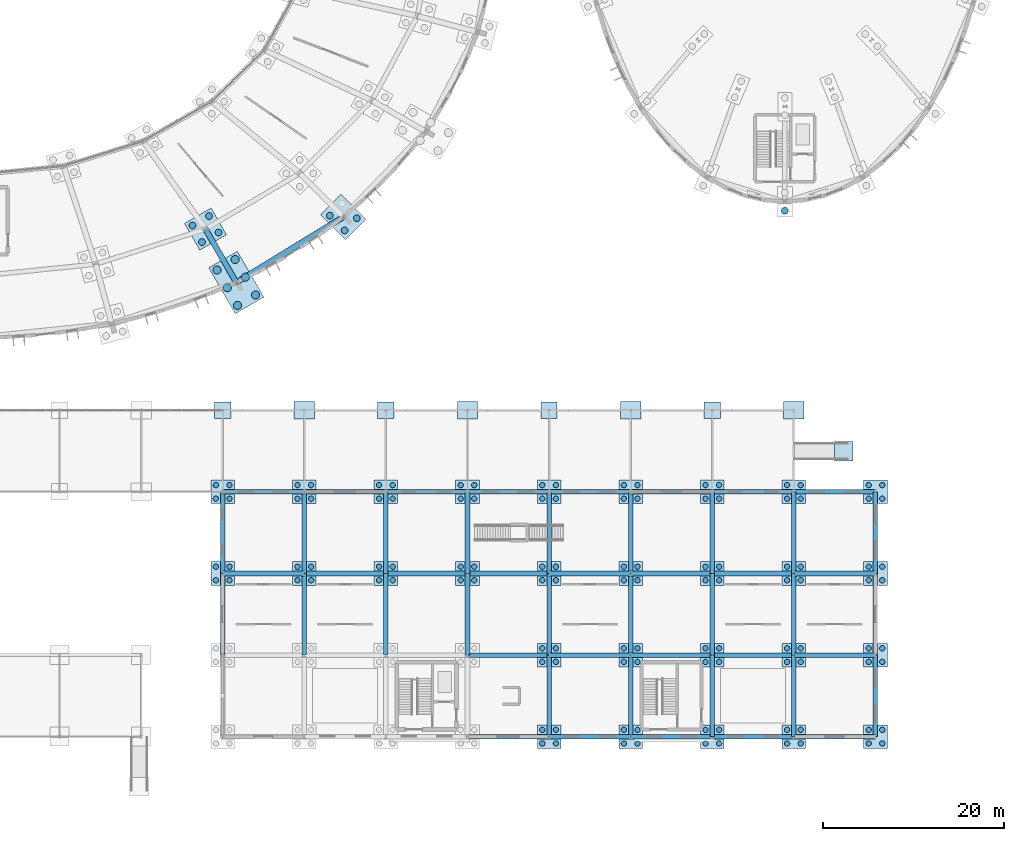
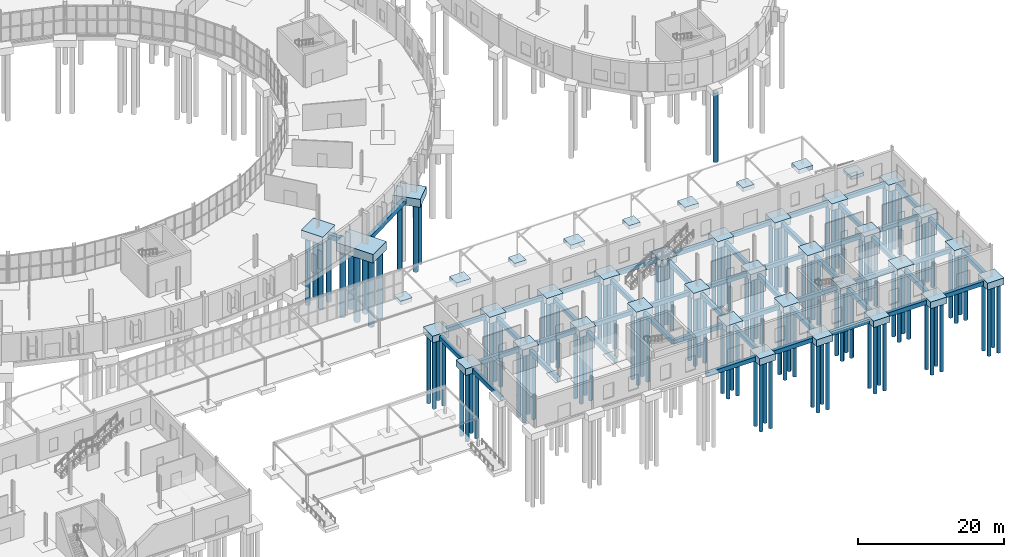
# One storey, part 6 of 118: 126 piles, 91 footings.
"""IFC4 building model written with IfcOpenShell, lengths in metres."""

from ifc_helpers import new_model, si_unit, direction, frame, origin, origin_2d, place, context, subcontext, project, spatial, rectangle, circle, extrude, material, material_profile, profile_set, type_object, element, save


model = new_model("IFC4")

# Units and contexts
model_context = context("Model", 3, precision=1e-05, world=origin(), true_north=direction((0.0, 1.0)))
body_context = subcontext(model_context, "Body", "Model", "MODEL_VIEW")
ifc_project = project(units=[si_unit("LENGTHUNIT", "METRE"), si_unit("AREAUNIT", "SQUARE_METRE"), si_unit("VOLUMEUNIT", "CUBIC_METRE"), si_unit("PLANEANGLEUNIT", "RADIAN"), si_unit("MASSUNIT", "GRAM", prefix="KILO")], contexts=[model_context])

# Site, building, storey
site_placement = place(None, origin())
site = spatial("IfcSite", under=ifc_project, at=site_placement, CompositionType="ELEMENT")
building_placement = place(site_placement, origin())
building = spatial("IfcBuilding", under=site, at=building_placement, Name="Kildeholm Park Wholesale Market", CompositionType="ELEMENT")
storey_placement = place(building_placement, origin())
storey = spatial("IfcBuildingStorey", under=building, at=storey_placement, Name="L00", CompositionType="ELEMENT", Elevation=0.0)

# Piles
ifc_material = material(Name="Concrete C35/45", Category="concrete")
ifc_material_profile_1 = material_profile(ifc_material, circle(Radius=0.300048828125, at=origin_2d()), Name="PILE D600")
ifc_profile_set_1 = profile_set([ifc_material_profile_1], Name="Concrete C35/45")
pile_type_1 = type_object("IfcPileType", Name="Bored pile 600 mm", PredefinedType="BORED", material=ifc_profile_set_1)
for number, where, z_axis, x_axis, name in (
    (1, (125.25, 17.25, -1.0), (0.0, 0.0, -1.0), (1.0, 0.0, 0.0), "Bored pile V5E-126-018.1 PIL-1013"),
    (2, (126.75, 17.25, -1.0), (0.0, 0.0, -1.0), (1.0, 0.0, 0.0), "Bored pile V5E-126-018.2 PIL-1014"),
    (3, (125.25, 18.75, -1.0), (0.0, 0.0, -1.0), (1.0, 0.0, 0.0), "Bored pile V5E-126-018.3 PIL-1015"),
    (4, (126.75, 18.75, -1.0), (0.0, 0.0, -1.0), (1.0, 0.0, 0.0), "Bored pile V5E-126-018.4 PIL-1016"),
    (5, (125.25, 26.25, -1.0), (0.0, 0.0, -1.0), (1.0, 0.0, 0.0), "Bored pile V5E-126-027.1 PIL-1017"),
    (6, (126.75, 26.25, -1.0), (0.0, 0.0, -1.0), (1.0, 0.0, 0.0), "Bored pile V5E-126-027.2 PIL-1018"),
    (7, (125.25, 27.75, -1.0), (0.0, 0.0, -1.0), (1.0, 0.0, 0.0), "Bored pile V5E-126-027.3 PIL-1019"),
    (8, (126.75, 27.75, -1.0), (0.0, 0.0, -1.0), (1.0, 0.0, 0.0), "Bored pile V5E-126-027.4 PIL-1020"),
    (9, (134.25, 17.25, -1.0), (0.0, 0.0, -1.0), (1.0, 0.0, 0.0), "Bored pile V5E-135-018.1 PIL-1029"),
    (10, (135.75, 17.25, -1.0), (0.0, 0.0, -1.0), (1.0, 0.0, 0.0), "Bored pile V5E-135-018.2 PIL-1030"),
    (11, (134.25, 18.75, -1.0), (0.0, 0.0, -1.0), (1.0, 0.0, 0.0), "Bored pile V5E-135-018.3 PIL-1031"),
    (12, (135.75, 18.75, -1.0), (0.0, 0.0, -1.0), (1.0, 0.0, 0.0), "Bored pile V5E-135-018.4 PIL-1032"),
    (13, (134.25, 26.25, -1.0), (0.0, 0.0, -1.0), (1.0, 0.0, 0.0), "Bored pile V5E-135-027.1 PIL-1033"),
    (14, (135.75, 26.25, -1.0), (0.0, 0.0, -1.0), (1.0, 0.0, 0.0), "Bored pile V5E-135-027.2 PIL-1034"),
    (15, (134.25, 27.75, -1.0), (0.0, 0.0, -1.0), (1.0, 0.0, 0.0), "Bored pile V5E-135-027.3 PIL-1035"),
    (16, (135.75, 27.75, -1.0), (0.0, 0.0, -1.0), (1.0, 0.0, 0.0), "Bored pile V5E-135-027.4 PIL-1036"),
    (17, (143.25, 17.25, -1.0), (0.0, 0.0, -1.0), (1.0, 0.0, 0.0), "Bored pile V5E-144-018.1 PIL-1045"),
    (18, (144.75, 17.25, -1.0), (0.0, 0.0, -1.0), (1.0, 0.0, 0.0), "Bored pile V5E-144-018.2 PIL-1046"),
    (19, (143.25, 18.75, -1.0), (0.0, 0.0, -1.0), (1.0, 0.0, 0.0), "Bored pile V5E-144-018.3 PIL-1047"),
    (20, (144.75, 18.75, -1.0), (0.0, 0.0, -1.0), (1.0, 0.0, 0.0), "Bored pile V5E-144-018.4 PIL-1048"),
    (21, (143.25, 26.25, -1.0), (0.0, 0.0, -1.0), (1.0, 0.0, 0.0), "Bored pile V5E-144-027.1 PIL-1049"),
    (22, (144.75, 26.25, -1.0), (0.0, 0.0, -1.0), (1.0, 0.0, 0.0), "Bored pile V5E-144-027.2 PIL-1050"),
    (23, (143.25, 27.75, -1.0), (0.0, 0.0, -1.0), (1.0, 0.0, 0.0), "Bored pile V5E-144-027.3 PIL-1051"),
    (24, (144.75, 27.75, -1.0), (0.0, 0.0, -1.0), (1.0, 0.0, 0.0), "Bored pile V5E-144-027.4 PIL-1052"),
    (25, (152.25, 17.25, -1.0), (0.0, 0.0, -1.0), (1.0, 0.0, 0.0), "Bored pile V5E-153-018.1 PIL-1061"),
    (26, (153.75, 17.25, -1.0), (0.0, 0.0, -1.0), (1.0, 0.0, 0.0), "Bored pile V5E-153-018.2 PIL-1062"),
    (27, (152.25, 18.75, -1.0), (0.0, 0.0, -1.0), (1.0, 0.0, 0.0), "Bored pile V5E-153-018.3 PIL-1063"),
    (28, (153.75, 18.75, -1.0), (0.0, 0.0, -1.0), (1.0, 0.0, 0.0), "Bored pile V5E-153-018.4 PIL-1064"),
    (29, (152.25, 26.25, -1.0), (0.0, 0.0, -1.0), (1.0, 0.0, 0.0), "Bored pile V5E-153-027.1 PIL-1065"),
    (30, (153.75, 26.25, -1.0), (0.0, 0.0, -1.0), (1.0, 0.0, 0.0), "Bored pile V5E-153-027.2 PIL-1066"),
    (31, (152.25, 27.75, -1.0), (0.0, 0.0, -1.0), (1.0, 0.0, 0.0), "Bored pile V5E-153-027.3 PIL-1067"),
    (32, (153.75, 27.75, -1.0), (0.0, 0.0, -1.0), (1.0, 0.0, 0.0), "Bored pile V5E-153-027.4 PIL-1068"),
    (33, (161.25, -0.75, -1.0), (0.0, 0.0, -1.0), (1.0, 0.0, 0.0), "Bored pile V5E-162-000.1 PIL-1069"),
    (34, (162.75, -0.75, -1.0), (0.0, 0.0, -1.0), (1.0, 0.0, 0.0), "Bored pile V5E-162-000.2 PIL-1070"),
    (35, (161.25, 0.75, -1.0), (0.0, 0.0, -1.0), (1.0, 0.0, 0.0), "Bored pile V5E-162-000.3 PIL-1071"),
    (36, (162.75, 0.75, -1.0), (0.0, 0.0, -1.0), (1.0, 0.0, 0.0), "Bored pile V5E-162-000.4 PIL-1072"),
    (37, (161.25, 8.25, -1.0), (0.0, 0.0, -1.0), (1.0, 0.0, 0.0), "Bored pile V5E-162-009.1 PIL-1073"),
    (38, (162.75, 8.25, -1.0), (0.0, 0.0, -1.0), (1.0, 0.0, 0.0), "Bored pile V5E-162-009.2 PIL-1074"),
    (39, (161.25, 9.75, -1.0), (0.0, 0.0, -1.0), (1.0, 0.0, 0.0), "Bored pile V5E-162-009.3 PIL-1075"),
    (40, (162.75, 9.75, -1.0), (0.0, 0.0, -1.0), (1.0, 0.0, 0.0), "Bored pile V5E-162-009.4 PIL-1076"),
    (41, (161.25, 17.25, -1.0), (0.0, 0.0, -1.0), (1.0, 0.0, 0.0), "Bored pile V5E-162-018.1 PIL-1077"),
    (42, (162.75, 17.25, -1.0), (0.0, 0.0, -1.0), (1.0, 0.0, 0.0), "Bored pile V5E-162-018.2 PIL-1078"),
    (43, (161.25, 18.75, -1.0), (0.0, 0.0, -1.0), (1.0, 0.0, 0.0), "Bored pile V5E-162-018.3 PIL-1079"),
    (44, (162.75, 18.75, -1.0), (0.0, 0.0, -1.0), (1.0, 0.0, 0.0), "Bored pile V5E-162-018.4 PIL-1080"),
    (45, (161.25, 26.25, -1.0), (0.0, 0.0, -1.0), (1.0, 0.0, 0.0), "Bored pile V5E-162-027.1 PIL-1081"),
    (46, (162.75, 26.25, -1.0), (0.0, 0.0, -1.0), (1.0, 0.0, 0.0), "Bored pile V5E-162-027.2 PIL-1082"),
    (47, (161.25, 27.75, -1.0), (0.0, 0.0, -1.0), (1.0, 0.0, 0.0), "Bored pile V5E-162-027.3 PIL-1083"),
    (48, (162.75, 27.75, -1.0), (0.0, 0.0, -1.0), (1.0, 0.0, 0.0), "Bored pile V5E-162-027.4 PIL-1084"),
    (49, (170.25, -0.75, -1.0), (0.0, 0.0, -1.0), (1.0, 0.0, 0.0), "Bored pile V5E-171-000.1 PIL-1085"),
    (50, (171.75, -0.75, -1.0), (0.0, 0.0, -1.0), (1.0, 0.0, 0.0), "Bored pile V5E-171-000.2 PIL-1086"),
    (51, (170.25, 0.75, -1.0), (0.0, 0.0, -1.0), (1.0, 0.0, 0.0), "Bored pile V5E-171-000.3 PIL-1087"),
    (52, (171.75, 0.75, -1.0), (0.0, 0.0, -1.0), (1.0, 0.0, 0.0), "Bored pile V5E-171-000.4 PIL-1088"),
    (53, (170.25, 8.25, -1.0), (0.0, 0.0, -1.0), (1.0, 0.0, 0.0), "Bored pile V5E-171-009.1 PIL-1089"),
    (54, (171.75, 8.25, -1.0), (0.0, 0.0, -1.0), (1.0, 0.0, 0.0), "Bored pile V5E-171-009.2 PIL-1090"),
    (55, (170.25, 9.75, -1.0), (0.0, 0.0, -1.0), (1.0, 0.0, 0.0), "Bored pile V5E-171-009.3 PIL-1091"),
    (56, (171.75, 9.75, -1.0), (0.0, 0.0, -1.0), (1.0, 0.0, 0.0), "Bored pile V5E-171-009.4 PIL-1092"),
    (57, (170.25, 17.25, -1.0), (0.0, 0.0, -1.0), (1.0, 0.0, 0.0), "Bored pile V5E-171-018.1 PIL-1093"),
    (58, (171.75, 17.25, -1.0), (0.0, 0.0, -1.0), (1.0, 0.0, 0.0), "Bored pile V5E-171-018.2 PIL-1094"),
    (59, (170.25, 18.75, -1.0), (0.0, 0.0, -1.0), (1.0, 0.0, 0.0), "Bored pile V5E-171-018.3 PIL-1095"),
    (60, (171.75, 18.75, -1.0), (0.0, 0.0, -1.0), (1.0, 0.0, 0.0), "Bored pile V5E-171-018.4 PIL-1096"),
    (61, (170.25, 26.25, -1.0), (0.0, 0.0, -1.0), (1.0, 0.0, 0.0), "Bored pile V5E-171-027.1 PIL-1097"),
    (62, (171.75, 26.25, -1.0), (0.0, 0.0, -1.0), (1.0, 0.0, 0.0), "Bored pile V5E-171-027.2 PIL-1098"),
    (63, (170.25, 27.75, -1.0), (0.0, 0.0, -1.0), (1.0, 0.0, 0.0), "Bored pile V5E-171-027.3 PIL-1099"),
    (64, (171.75, 27.75, -1.0), (0.0, 0.0, -1.0), (1.0, 0.0, 0.0), "Bored pile V5E-171-027.4 PIL-1100"),
    (65, (179.25, -0.75, -1.0), (0.0, 0.0, -1.0), (1.0, 0.0, 0.0), "Bored pile V5E-180-000.1 PIL-1101"),
    (66, (180.75, -0.75, -1.0), (0.0, 0.0, -1.0), (1.0, 0.0, 0.0), "Bored pile V5E-180-000.2 PIL-1102"),
    (67, (179.25, 0.75, -1.0), (0.0, 0.0, -1.0), (1.0, 0.0, 0.0), "Bored pile V5E-180-000.3 PIL-1103"),
    (68, (180.75, 0.75, -1.0), (0.0, 0.0, -1.0), (1.0, 0.0, 0.0), "Bored pile V5E-180-000.4 PIL-1104"),
    (69, (179.25, 8.25, -1.0), (0.0, 0.0, -1.0), (1.0, 0.0, 0.0), "Bored pile V5E-180-009.1 PIL-1105"),
    (70, (180.75, 8.25, -1.0), (0.0, 0.0, -1.0), (1.0, 0.0, 0.0), "Bored pile V5E-180-009.2 PIL-1106"),
    (71, (179.25, 9.75, -1.0), (0.0, 0.0, -1.0), (1.0, 0.0, 0.0), "Bored pile V5E-180-009.3 PIL-1107"),
    (72, (180.75, 9.75, -1.0), (0.0, 0.0, -1.0), (1.0, 0.0, 0.0), "Bored pile V5E-180-009.4 PIL-1108"),
    (73, (179.25, 17.25, -1.0), (0.0, 0.0, -1.0), (1.0, 0.0, 0.0), "Bored pile V5E-180-018.1 PIL-1109"),
    (74, (180.75, 17.25, -1.0), (0.0, 0.0, -1.0), (1.0, 0.0, 0.0), "Bored pile V5E-180-018.2 PIL-1110"),
    (75, (179.25, 18.75, -1.0), (0.0, 0.0, -1.0), (1.0, 0.0, 0.0), "Bored pile V5E-180-018.3 PIL-1111"),
    (76, (180.75, 18.75, -1.0), (0.0, 0.0, -1.0), (1.0, 0.0, 0.0), "Bored pile V5E-180-018.4 PIL-1112"),
    (77, (179.25, 26.25, -1.0), (0.0, 0.0, -1.0), (1.0, 0.0, 0.0), "Bored pile V5E-180-027.1 PIL-1113"),
    (78, (180.75, 26.25, -1.0), (0.0, 0.0, -1.0), (1.0, 0.0, 0.0), "Bored pile V5E-180-027.2 PIL-1114"),
    (79, (179.25, 27.75, -1.0), (0.0, 0.0, -1.0), (1.0, 0.0, 0.0), "Bored pile V5E-180-027.3 PIL-1115"),
    (80, (180.75, 27.75, -1.0), (0.0, 0.0, -1.0), (1.0, 0.0, 0.0), "Bored pile V5E-180-027.4 PIL-1116"),
    (81, (188.25, -0.75, -1.0), (0.0, 0.0, -1.0), (1.0, 0.0, 0.0), "Bored pile V5E-189-000.1 PIL-1117"),
    (82, (189.75, -0.75, -1.0), (0.0, 0.0, -1.0), (1.0, 0.0, 0.0), "Bored pile V5E-189-000.2 PIL-1118"),
    (83, (188.25, 0.75, -1.0), (0.0, 0.0, -1.0), (1.0, 0.0, 0.0), "Bored pile V5E-189-000.3 PIL-1119"),
    (84, (189.75, 0.75, -1.0), (0.0, 0.0, -1.0), (1.0, 0.0, 0.0), "Bored pile V5E-189-000.4 PIL-1120"),
    (85, (188.25, 8.25, -1.0), (0.0, 0.0, -1.0), (1.0, 0.0, 0.0), "Bored pile V5E-189-009.1 PIL-1121"),
    (86, (189.75, 8.25, -1.0), (0.0, 0.0, -1.0), (1.0, 0.0, 0.0), "Bored pile V5E-189-009.2 PIL-1122"),
    (87, (188.25, 9.75, -1.0), (0.0, 0.0, -1.0), (1.0, 0.0, 0.0), "Bored pile V5E-189-009.3 PIL-1123"),
    (88, (189.75, 9.75, -1.0), (0.0, 0.0, -1.0), (1.0, 0.0, 0.0), "Bored pile V5E-189-009.4 PIL-1124"),
    (89, (188.25, 17.25, -1.0), (0.0, 0.0, -1.0), (1.0, 0.0, 0.0), "Bored pile V5E-189-018.1 PIL-1125"),
    (90, (189.75, 17.25, -1.0), (0.0, 0.0, -1.0), (1.0, 0.0, 0.0), "Bored pile V5E-189-018.2 PIL-1126"),
    (91, (188.25, 18.75, -1.0), (0.0, 0.0, -1.0), (1.0, 0.0, 0.0), "Bored pile V5E-189-018.3 PIL-1127"),
    (92, (189.75, 18.75, -1.0), (0.0, 0.0, -1.0), (1.0, 0.0, 0.0), "Bored pile V5E-189-018.4 PIL-1128"),
    (93, (188.25, 26.25, -1.0), (0.0, 0.0, -1.0), (1.0, 0.0, 0.0), "Bored pile V5E-189-027.1 PIL-1129"),
    (94, (189.75, 26.25, -1.0), (0.0, 0.0, -1.0), (1.0, 0.0, 0.0), "Bored pile V5E-189-027.2 PIL-1130"),
    (95, (188.25, 27.75, -1.0), (0.0, 0.0, -1.0), (1.0, 0.0, 0.0), "Bored pile V5E-189-027.3 PIL-1131"),
    (96, (189.75, 27.75, -1.0), (0.0, 0.0, -1.0), (1.0, 0.0, 0.0), "Bored pile V5E-189-027.4 PIL-1132"),
    (97, (197.25, -0.75, -1.0), (0.0, 0.0, -1.0), (1.0, 0.0, 0.0), "Bored pile V5E-198-000.1 PIL-1133"),
    (98, (198.75, -0.75, -1.0), (0.0, 0.0, -1.0), (1.0, 0.0, 0.0), "Bored pile V5E-198-000.2 PIL-1134"),
    (99, (197.25, 0.75, -1.0), (0.0, 0.0, -1.0), (1.0, 0.0, 0.0), "Bored pile V5E-198-000.3 PIL-1135"),
    (100, (198.75, 0.75, -1.0), (0.0, 0.0, -1.0), (1.0, 0.0, 0.0), "Bored pile V5E-198-000.4 PIL-1136"),
    (101, (197.25, 8.25, -1.0), (0.0, 0.0, -1.0), (1.0, 0.0, 0.0), "Bored pile V5E-198-009.1 PIL-1137"),
    (102, (198.75, 8.25, -1.0), (0.0, 0.0, -1.0), (1.0, 0.0, 0.0), "Bored pile V5E-198-009.2 PIL-1138"),
    (103, (197.25, 9.75, -1.0), (0.0, 0.0, -1.0), (1.0, 0.0, 0.0), "Bored pile V5E-198-009.3 PIL-1139"),
    (104, (198.75, 9.75, -1.0), (0.0, 0.0, -1.0), (1.0, 0.0, 0.0), "Bored pile V5E-198-009.4 PIL-1140"),
    (105, (197.25, 17.25, -1.0), (0.0, 0.0, -1.0), (1.0, 0.0, 0.0), "Bored pile V5E-198-018.1 PIL-1141"),
    (106, (198.75, 17.25, -1.0), (0.0, 0.0, -1.0), (1.0, 0.0, 0.0), "Bored pile V5E-198-018.2 PIL-1142"),
    (107, (197.25, 18.75, -1.0), (0.0, 0.0, -1.0), (1.0, 0.0, 0.0), "Bored pile V5E-198-018.3 PIL-1143"),
    (108, (198.75, 18.75, -1.0), (0.0, 0.0, -1.0), (1.0, 0.0, 0.0), "Bored pile V5E-198-018.4 PIL-1144"),
    (109, (197.25, 26.25, -1.0), (0.0, 0.0, -1.0), (1.0, 0.0, 0.0), "Bored pile V5E-198-027.1 PIL-1145"),
    (110, (198.75, 26.25, -1.0), (0.0, 0.0, -1.0), (1.0, 0.0, 0.0), "Bored pile V5E-198-027.2 PIL-1146"),
    (111, (197.25, 27.75, -1.0), (0.0, 0.0, -1.0), (1.0, 0.0, 0.0), "Bored pile V5E-198-027.3 PIL-1147"),
    (112, (198.75, 27.75, -1.0), (0.0, 0.0, -1.0), (1.0, 0.0, 0.0), "Bored pile V5E-198-027.4 PIL-1148"),
):
    element("IfcPile", number, at=place(storey_placement, frame(where, z_axis=z_axis, x_axis=x_axis)), inside=storey, type_object=pile_type_1, Name=name, PredefinedType="BORED", context=body_context, shape_type="SweptSolid", body=[
        extrude(circle(Radius=0.300048828125, at=origin_2d()), origin(), (0.0, 0.0, 1.0), 11.5),
    ])
ifc_material_profile_2 = material_profile(ifc_material, circle(Radius=0.375, at=origin_2d()), Name="PILE D750")
ifc_profile_set_2 = profile_set([ifc_material_profile_2], Name="Concrete C35/45")
pile_type_2 = type_object("IfcPileType", Name="Bored pile 750 mm", PredefinedType="BORED", material=ifc_profile_set_2)
for number, where, z_axis, x_axis, name in (
    (113, (122.665771484375, 56.369384765625, -1.199951171875), (0.0, 0.0, -1.0), (1.0, 0.0, 0.0), "Bored pile V1-MD-20.1 PIL-0265"),
    (114, (123.7158203125, 54.55078125, -1.199951171875), (0.0, 0.0, -1.0), (1.0, 0.0, 0.0), "Bored pile V1-MD-20.2 PIL-0266"),
    (115, (124.484375, 57.419189453125, -1.199951171875), (0.0, 0.0, -1.0), (1.0, 0.0, 0.0), "Bored pile V1-MD-20.3 PIL-0267"),
    (116, (125.5341796875, 55.6005859375, -1.199951171875), (0.0, 0.0, -1.0), (1.0, 0.0, 0.0), "Bored pile V1-MD-20.4 PIL-0268"),
):
    element("IfcPile", number, at=place(storey_placement, frame(where, z_axis=z_axis, x_axis=x_axis)), inside=storey, type_object=pile_type_2, Name=name, PredefinedType="BORED", context=body_context, shape_type="SweptSolid", body=[
        extrude(circle(Radius=0.375, at=origin_2d()), origin(), (0.0, 0.0, 1.0), 11.300048828125),
    ])
for number, where, z_axis, x_axis, name in (
    (117, (137.820068359375, 57.468505859375, -1.25), (0.0, 0.0, -1.0), (1.0, 0.0, 0.0), "Bored pile V1-OT-21.1 PIL-0283"),
    (118, (139.4462890625, 55.842041015625, -1.25), (0.0, 0.0, -1.0), (1.0, 0.0, 0.0), "Bored pile V1-OT-21.2 PIL-0284"),
    (119, (140.789794921875, 57.185546875, -1.25), (0.0, 0.0, -1.0), (1.0, 0.0, 0.0), "Bored pile V1-OT-21.4 PIL-0286"),
):
    element("IfcPile", number, at=place(storey_placement, frame(where, z_axis=z_axis, x_axis=x_axis)), inside=storey, type_object=pile_type_2, Name=name, PredefinedType="BORED", context=body_context, shape_type="SweptSolid", body=[
        extrude(circle(Radius=0.375, at=origin_2d()), origin(), (0.0, 0.0, 1.0), 11.25),
    ])
pile_placement = place(storey_placement, frame((188.0, 58.0, -0.949951171875), z_axis=(0.0, 0.0, -1.0), x_axis=(1.0, 0.0, 0.0)))
element("IfcPile", 120, at=pile_placement, inside=storey, type_object=pile_type_2, Name="Bored pile V2-OT-12.2 PIL-0364", PredefinedType="BORED", context=body_context, shape_type="SweptSolid", body=[
    extrude(circle(Radius=0.375, at=origin_2d()), origin(), (0.0, 0.0, 1.0), 11.550048828125),
])
ifc_material_profile_3 = material_profile(ifc_material, circle(Radius=0.449951171875, at=origin_2d()), Name="PILE D900")
ifc_profile_set_3 = profile_set([ifc_material_profile_3], Name="Concrete C35/45")
pile_type_3 = type_object("IfcPileType", Name="Bored pile 900 mm", PredefinedType="BORED", material=ifc_profile_set_3)
for number, where, z_axis, x_axis, name in (
    (121, (125.379150390625, 51.469482421875, -1.35009765625), (0.0, 0.0, -1.0), (1.0, 0.0, 0.0), "Bored pile V1-OT-20.1 PIL-0269"),
    (122, (126.504150390625, 49.52099609375, -1.35009765625), (0.0, 0.0, -1.0), (1.0, 0.0, 0.0), "Bored pile V1-OT-20.2 PIL-0270"),
    (123, (127.629150390625, 47.572509765625, -1.35009765625), (0.0, 0.0, -1.0), (1.0, 0.0, 0.0), "Bored pile V1-OT-20.3 PIL-0271"),
    (124, (127.370849609375, 52.61962890625, -1.35009765625), (0.0, 0.0, -1.0), (1.0, 0.0, 0.0), "Bored pile V1-OT-20.4 PIL-0272"),
    (125, (128.495849609375, 50.6708984375, -1.35009765625), (0.0, 0.0, -1.0), (1.0, 0.0, 0.0), "Bored pile V1-OT-20.5 PIL-0273"),
    (126, (129.620849609375, 48.722412109375, -1.35009765625), (0.0, 0.0, -1.0), (1.0, 0.0, 0.0), "Bored pile V1-OT-20.6 PIL-0274"),
):
    element("IfcPile", number, at=place(storey_placement, frame(where, z_axis=z_axis, x_axis=x_axis)), inside=storey, type_object=pile_type_3, Name=name, PredefinedType="BORED", context=body_context, shape_type="SweptSolid", body=[
        extrude(circle(Radius=0.449951171875, at=origin_2d()), origin(), (0.0, 0.0, 1.0), 11.14990234375),
    ])

# Footings
ifc_material_profile_4 = material_profile(ifc_material, rectangle(XDim=0.5, YDim=0.699951171875, at=origin_2d()), Name="FB 500x700")
ifc_profile_set_4 = profile_set([ifc_material_profile_4], Name="Concrete C35/45")
footing_type_1 = type_object("IfcFootingType", Name="Ground tie beam GB-1 FB 500x700", PredefinedType="FOOTING_BEAM", material=ifc_profile_set_4)
for number, where, z_axis, x_axis, name in (
    (127, (126.0, 9.0, -0.64990234375), (0.0, 1.0, 0.0), (-1.0, 0.0, 0.0), "Ground tie beam GB-V5E-Y-126-009 FTG-0720"),
    (128, (126.0, 18.0, -0.64990234375), (1.0, 0.0, 0.0), (0.0, 1.0, 0.0), "Ground tie beam GB-V5E-X-126-018 FTG-0721"),
    (129, (126.0, 18.0, -0.64990234375), (0.0, 1.0, 0.0), (-1.0, 0.0, 0.0), "Ground tie beam GB-V5E-Y-126-018 FTG-0722"),
    (130, (126.0, 27.0, -0.64990234375), (1.0, 0.0, 0.0), (0.0, 1.0, 0.0), "Ground tie beam GB-V5E-X-126-027 FTG-0723"),
    (131, (135.0, 9.0, -0.64990234375), (0.0, 1.0, 0.0), (-1.0, 0.0, 0.0), "Ground tie beam GB-V5E-Y-135-009 FTG-0727"),
    (132, (135.0, 18.0, -0.64990234375), (1.0, 0.0, 0.0), (0.0, 1.0, 0.0), "Ground tie beam GB-V5E-X-135-018 FTG-0728"),
    (133, (135.0, 18.0, -0.64990234375), (0.0, 1.0, 0.0), (-1.0, 0.0, 0.0), "Ground tie beam GB-V5E-Y-135-018 FTG-0729"),
    (134, (135.0, 27.0, -0.64990234375), (1.0, 0.0, 0.0), (0.0, 1.0, 0.0), "Ground tie beam GB-V5E-X-135-027 FTG-0730"),
    (135, (144.0, 9.0, -0.64990234375), (0.0, 1.0, 0.0), (-1.0, 0.0, 0.0), "Ground tie beam GB-V5E-Y-144-009 FTG-0734"),
    (136, (144.0, 18.0, -0.64990234375), (1.0, 0.0, 0.0), (0.0, 1.0, 0.0), "Ground tie beam GB-V5E-X-144-018 FTG-0735"),
    (137, (144.0, 18.0, -0.64990234375), (0.0, 1.0, 0.0), (-1.0, 0.0, 0.0), "Ground tie beam GB-V5E-Y-144-018 FTG-0736"),
    (138, (144.0, 27.0, -0.64990234375), (1.0, 0.0, 0.0), (0.0, 1.0, 0.0), "Ground tie beam GB-V5E-X-144-027 FTG-0737"),
    (139, (153.0, 0.0, -0.64990234375), (1.0, 0.0, 0.0), (0.0, 1.0, 0.0), "Ground tie beam GB-V5E-X-153-000 FTG-0738"),
    (140, (153.0, 9.0, -0.64990234375), (1.0, 0.0, 0.0), (0.0, 1.0, 0.0), "Ground tie beam GB-V5E-X-153-009 FTG-0740"),
    (141, (153.0, 9.0, -0.64990234375), (0.0, 1.0, 0.0), (-1.0, 0.0, 0.0), "Ground tie beam GB-V5E-Y-153-009 FTG-0741"),
    (142, (153.0, 18.0, -0.64990234375), (1.0, 0.0, 0.0), (0.0, 1.0, 0.0), "Ground tie beam GB-V5E-X-153-018 FTG-0742"),
    (143, (153.0, 18.0, -0.64990234375), (0.0, 1.0, 0.0), (-1.0, 0.0, 0.0), "Ground tie beam GB-V5E-Y-153-018 FTG-0743"),
    (144, (153.0, 27.0, -0.64990234375), (1.0, 0.0, 0.0), (0.0, 1.0, 0.0), "Ground tie beam GB-V5E-X-153-027 FTG-0744"),
    (145, (162.0, 0.0, -0.64990234375), (1.0, 0.0, 0.0), (0.0, 1.0, 0.0), "Ground tie beam GB-V5E-X-162-000 FTG-0745"),
    (146, (162.0, 0.0, -0.64990234375), (0.0, 1.0, 0.0), (-1.0, 0.0, 0.0), "Ground tie beam GB-V5E-Y-162-000 FTG-0746"),
    (147, (162.0, 9.0, -0.64990234375), (1.0, 0.0, 0.0), (0.0, 1.0, 0.0), "Ground tie beam GB-V5E-X-162-009 FTG-0747"),
    (148, (162.0, 9.0, -0.64990234375), (0.0, 1.0, 0.0), (-1.0, 0.0, 0.0), "Ground tie beam GB-V5E-Y-162-009 FTG-0748"),
    (149, (162.0, 18.0, -0.64990234375), (1.0, 0.0, 0.0), (0.0, 1.0, 0.0), "Ground tie beam GB-V5E-X-162-018 FTG-0749"),
    (150, (162.0, 18.0, -0.64990234375), (0.0, 1.0, 0.0), (-1.0, 0.0, 0.0), "Ground tie beam GB-V5E-Y-162-018 FTG-0750"),
    (151, (162.0, 27.0, -0.64990234375), (1.0, 0.0, 0.0), (0.0, 1.0, 0.0), "Ground tie beam GB-V5E-X-162-027 FTG-0751"),
    (152, (171.0, 0.0, -0.64990234375), (1.0, 0.0, 0.0), (0.0, 1.0, 0.0), "Ground tie beam GB-V5E-X-171-000 FTG-0752"),
    (153, (171.0, 0.0, -0.64990234375), (0.0, 1.0, 0.0), (-1.0, 0.0, 0.0), "Ground tie beam GB-V5E-Y-171-000 FTG-0753"),
    (154, (171.0, 9.0, -0.64990234375), (1.0, 0.0, 0.0), (0.0, 1.0, 0.0), "Ground tie beam GB-V5E-X-171-009 FTG-0754"),
    (155, (171.0, 9.0, -0.64990234375), (0.0, 1.0, 0.0), (-1.0, 0.0, 0.0), "Ground tie beam GB-V5E-Y-171-009 FTG-0755"),
    (156, (171.0, 18.0, -0.64990234375), (1.0, 0.0, 0.0), (0.0, 1.0, 0.0), "Ground tie beam GB-V5E-X-171-018 FTG-0756"),
    (157, (171.0, 18.0, -0.64990234375), (0.0, 1.0, 0.0), (-1.0, 0.0, 0.0), "Ground tie beam GB-V5E-Y-171-018 FTG-0757"),
    (158, (171.0, 27.0, -0.64990234375), (1.0, 0.0, 0.0), (0.0, 1.0, 0.0), "Ground tie beam GB-V5E-X-171-027 FTG-0758"),
    (159, (180.0, 0.0, -0.64990234375), (1.0, 0.0, 0.0), (0.0, 1.0, 0.0), "Ground tie beam GB-V5E-X-180-000 FTG-0759"),
    (160, (180.0, 0.0, -0.64990234375), (0.0, 1.0, 0.0), (-1.0, 0.0, 0.0), "Ground tie beam GB-V5E-Y-180-000 FTG-0760"),
    (161, (180.0, 9.0, -0.64990234375), (1.0, 0.0, 0.0), (0.0, 1.0, 0.0), "Ground tie beam GB-V5E-X-180-009 FTG-0761"),
    (162, (180.0, 9.0, -0.64990234375), (0.0, 1.0, 0.0), (-1.0, 0.0, 0.0), "Ground tie beam GB-V5E-Y-180-009 FTG-0762"),
    (163, (180.0, 18.0, -0.64990234375), (1.0, 0.0, 0.0), (0.0, 1.0, 0.0), "Ground tie beam GB-V5E-X-180-018 FTG-0763"),
    (164, (180.0, 18.0, -0.64990234375), (0.0, 1.0, 0.0), (-1.0, 0.0, 0.0), "Ground tie beam GB-V5E-Y-180-018 FTG-0764"),
    (165, (180.0, 27.0, -0.64990234375), (1.0, 0.0, 0.0), (0.0, 1.0, 0.0), "Ground tie beam GB-V5E-X-180-027 FTG-0765"),
    (166, (189.0, 0.0, -0.64990234375), (1.0, 0.0, 0.0), (0.0, 1.0, 0.0), "Ground tie beam GB-V5E-X-189-000 FTG-0766"),
    (167, (189.0, 0.0, -0.64990234375), (0.0, 1.0, 0.0), (-1.0, 0.0, 0.0), "Ground tie beam GB-V5E-Y-189-000 FTG-0767"),
    (168, (189.0, 9.0, -0.64990234375), (1.0, 0.0, 0.0), (0.0, 1.0, 0.0), "Ground tie beam GB-V5E-X-189-009 FTG-0768"),
    (169, (189.0, 9.0, -0.64990234375), (0.0, 1.0, 0.0), (-1.0, 0.0, 0.0), "Ground tie beam GB-V5E-Y-189-009 FTG-0769"),
    (170, (189.0, 18.0, -0.64990234375), (1.0, 0.0, 0.0), (0.0, 1.0, 0.0), "Ground tie beam GB-V5E-X-189-018 FTG-0770"),
    (171, (189.0, 18.0, -0.64990234375), (0.0, 1.0, 0.0), (-1.0, 0.0, 0.0), "Ground tie beam GB-V5E-Y-189-018 FTG-0771"),
    (172, (189.0, 27.0, -0.64990234375), (1.0, 0.0, 0.0), (0.0, 1.0, 0.0), "Ground tie beam GB-V5E-X-189-027 FTG-0772"),
    (173, (198.0, 0.0, -0.64990234375), (0.0, 1.0, 0.0), (-1.0, 0.0, 0.0), "Ground tie beam GB-V5E-Y-198-000 FTG-0773"),
    (174, (198.0, 9.0, -0.64990234375), (0.0, 1.0, 0.0), (-1.0, 0.0, 0.0), "Ground tie beam GB-V5E-Y-198-009 FTG-0774"),
    (175, (198.0, 18.0, -0.64990234375), (0.0, 1.0, 0.0), (-1.0, 0.0, 0.0), "Ground tie beam GB-V5E-Y-198-018 FTG-0775"),
):
    element("IfcFooting", number, at=place(storey_placement, frame(where, z_axis=z_axis, x_axis=x_axis)), inside=storey, type_object=footing_type_1, Name=name, PredefinedType="FOOTING_BEAM", context=body_context, shape_type="SweptSolid", body=[
        extrude(rectangle(XDim=0.5, YDim=0.699951171875, at=origin_2d()), origin(), (0.0, 0.0, 1.0), 9.0),
    ])
ifc_material_profile_5 = material_profile(ifc_material, rectangle(XDim=0.60009765625, YDim=0.800048828125, at=origin_2d()), Name="FB 600x800")
ifc_profile_set_5 = profile_set([ifc_material_profile_5], Name="Concrete C35/45")
footing_type_2 = type_object("IfcFootingType", Name="Ground tie beam GB-2 FB 600x800", PredefinedType="FOOTING_BEAM", material=ifc_profile_set_5)
footing_1_placement = place(storey_placement, frame((124.10009765625, 55.985107421875, -0.699951171875), z_axis=(0.499977295307, -0.866038511948, 0.0), x_axis=(0.866038511948, 0.499977295307, 0.0)))
element("IfcFooting", 176, at=footing_1_placement, inside=storey, type_object=footing_type_2, Name="Ground tie beam GB-V1-RAD2-20 FTG-0174", PredefinedType="FOOTING_BEAM", context=body_context, shape_type="SweptSolid", body=[
    extrude(rectangle(XDim=0.60009765625, YDim=0.800048828125, at=origin_2d()), origin(), (0.0, 0.0, 1.0), 6.800048828125),
])
footing_2_placement = place(storey_placement, frame((127.5, 50.095947265625, -0.699951171875), z_axis=(0.852740373682, 0.522335002745, 0.0), x_axis=(-0.522335002745, 0.852740373682, 0.0)))
element("IfcFooting", 177, at=footing_2_placement, inside=storey, type_object=footing_type_2, Name="Ground tie beam GB-V1-COT-20 FTG-0177", PredefinedType="FOOTING_BEAM", context=body_context, shape_type="SweptSolid", body=[
    extrude(rectangle(XDim=0.60009765625, YDim=0.800048828125, at=origin_2d()), origin(), (0.0, 0.0, 1.0), 13.843505859375),
])
footing_type_3 = type_object("IfcFootingType", Name="Pad footing PF-1A 1800x1800x650", PredefinedType="PAD_FOOTING", material=ifc_material)
for number, where, z_axis, x_axis, name in (
    (178, (126.0, 36.0, -0.64990234375), (0.0, 0.0, 1.0), (1.0, 0.0, 0.0), "Canopy pad footing 126-036 FTG-0792"),
    (179, (144.0, 36.0, -0.64990234375), (0.0, 0.0, 1.0), (1.0, 0.0, 0.0), "Canopy pad footing 144-036 FTG-0794"),
    (180, (162.0, 36.0, -0.64990234375), (0.0, 0.0, 1.0), (1.0, 0.0, 0.0), "Canopy pad footing 162-036 FTG-0796"),
    (181, (180.0, 36.0, -0.64990234375), (0.0, 0.0, 1.0), (1.0, 0.0, 0.0), "Canopy pad footing 180-036 FTG-0798"),
):
    element("IfcFooting", number, at=place(storey_placement, frame(where, z_axis=z_axis, x_axis=x_axis)), inside=storey, type_object=footing_type_3, Name=name, PredefinedType="PAD_FOOTING", context=body_context, shape_type="SweptSolid", body=[
        extrude(rectangle(XDim=1.800048828125, YDim=1.800048828125, at=origin_2d()), origin(), (0.0, 0.0, 1.0), 0.64990234375),
    ])
footing_type_4 = type_object("IfcFootingType", Name="Pad footing PF-1C 2250x1950x700", PredefinedType="PAD_FOOTING", material=ifc_material)
for number, where, z_axis, x_axis, name in (
    (182, (135.0, 36.0, -0.7001953125), (0.0, 0.0, 1.0), (1.0, 0.0, 0.0), "Canopy pad footing 135-036 FTG-0793"),
    (183, (153.0, 36.0, -0.7001953125), (0.0, 0.0, 1.0), (1.0, 0.0, 0.0), "Canopy pad footing 153-036 FTG-0795"),
    (184, (171.0, 36.0, -0.7001953125), (0.0, 0.0, 1.0), (1.0, 0.0, 0.0), "Canopy pad footing 171-036 FTG-0797"),
    (185, (189.0, 36.0, -0.7001953125), (0.0, 0.0, 1.0), (1.0, 0.0, 0.0), "Canopy pad footing 189-036 FTG-0799"),
):
    element("IfcFooting", number, at=place(storey_placement, frame(where, z_axis=z_axis, x_axis=x_axis)), inside=storey, type_object=footing_type_4, Name=name, PredefinedType="PAD_FOOTING", context=body_context, shape_type="SweptSolid", body=[
        extrude(rectangle(XDim=2.25, YDim=1.949951171875, at=origin_2d()), origin(), (0.0, 0.0, 1.0), 0.699951171875),
    ])
footing_type_5 = type_object("IfcFootingType", Name="Pad footing PF-RM 2050x2150x550", PredefinedType="PAD_FOOTING", material=ifc_material)
footing_3_placement = place(storey_placement, frame((194.52001953125, 31.5, -0.85009765625), z_axis=(0.0, 0.0, 1.0), x_axis=(-1.0, 0.0, 0.0)))
element("IfcFooting", 186, at=footing_3_placement, inside=storey, type_object=footing_type_5, Name="Ramp toe pad footing RM-V6-E FTG-0811", PredefinedType="PAD_FOOTING", context=body_context, shape_type="SweptSolid", body=[
    extrude(rectangle(XDim=2.050048828125, YDim=2.14990234375, at=origin_2d()), origin(), (0.0, 0.0, 1.0), 0.550048828125),
])
footing_type_6 = type_object("IfcFootingType", Name="Pile cap PC-4A 2600x2600x1100", PredefinedType="PILE_CAP", material=ifc_material)
for number, where, z_axis, x_axis, name in (
    (187, (126.0, 18.0, -1.10009765625), (0.0, 0.0, 1.0), (1.0, 0.0, 0.0), "Pile cap V5E-126-018 FTG-0683"),
    (188, (126.0, 27.0, -1.10009765625), (0.0, 0.0, 1.0), (1.0, 0.0, 0.0), "Pile cap V5E-126-027 FTG-0684"),
    (189, (135.0, 18.0, -1.10009765625), (0.0, 0.0, 1.0), (1.0, 0.0, 0.0), "Pile cap V5E-135-018 FTG-0687"),
    (190, (135.0, 27.0, -1.10009765625), (0.0, 0.0, 1.0), (1.0, 0.0, 0.0), "Pile cap V5E-135-027 FTG-0688"),
    (191, (144.0, 18.0, -1.10009765625), (0.0, 0.0, 1.0), (1.0, 0.0, 0.0), "Pile cap V5E-144-018 FTG-0691"),
    (192, (144.0, 27.0, -1.10009765625), (0.0, 0.0, 1.0), (1.0, 0.0, 0.0), "Pile cap V5E-144-027 FTG-0692"),
    (193, (153.0, 18.0, -1.10009765625), (0.0, 0.0, 1.0), (1.0, 0.0, 0.0), "Pile cap V5E-153-018 FTG-0695"),
    (194, (153.0, 27.0, -1.10009765625), (0.0, 0.0, 1.0), (1.0, 0.0, 0.0), "Pile cap V5E-153-027 FTG-0696"),
    (195, (162.0, 0.0, -1.10009765625), (0.0, 0.0, 1.0), (1.0, 0.0, 0.0), "Pile cap V5E-162-000 FTG-0697"),
    (196, (162.0, 9.0, -1.10009765625), (0.0, 0.0, 1.0), (1.0, 0.0, 0.0), "Pile cap V5E-162-009 FTG-0698"),
    (197, (162.0, 18.0, -1.10009765625), (0.0, 0.0, 1.0), (1.0, 0.0, 0.0), "Pile cap V5E-162-018 FTG-0699"),
    (198, (162.0, 27.0, -1.10009765625), (0.0, 0.0, 1.0), (1.0, 0.0, 0.0), "Pile cap V5E-162-027 FTG-0700"),
    (199, (171.0, 0.0, -1.10009765625), (0.0, 0.0, 1.0), (1.0, 0.0, 0.0), "Pile cap V5E-171-000 FTG-0701"),
    (200, (171.0, 9.0, -1.10009765625), (0.0, 0.0, 1.0), (1.0, 0.0, 0.0), "Pile cap V5E-171-009 FTG-0702"),
    (201, (171.0, 18.0, -1.10009765625), (0.0, 0.0, 1.0), (1.0, 0.0, 0.0), "Pile cap V5E-171-018 FTG-0703"),
    (202, (171.0, 27.0, -1.10009765625), (0.0, 0.0, 1.0), (1.0, 0.0, 0.0), "Pile cap V5E-171-027 FTG-0704"),
    (203, (180.0, 0.0, -1.10009765625), (0.0, 0.0, 1.0), (1.0, 0.0, 0.0), "Pile cap V5E-180-000 FTG-0705"),
    (204, (180.0, 9.0, -1.10009765625), (0.0, 0.0, 1.0), (1.0, 0.0, 0.0), "Pile cap V5E-180-009 FTG-0706"),
    (205, (180.0, 18.0, -1.10009765625), (0.0, 0.0, 1.0), (1.0, 0.0, 0.0), "Pile cap V5E-180-018 FTG-0707"),
    (206, (180.0, 27.0, -1.10009765625), (0.0, 0.0, 1.0), (1.0, 0.0, 0.0), "Pile cap V5E-180-027 FTG-0708"),
    (207, (189.0, 0.0, -1.10009765625), (0.0, 0.0, 1.0), (1.0, 0.0, 0.0), "Pile cap V5E-189-000 FTG-0709"),
    (208, (189.0, 9.0, -1.10009765625), (0.0, 0.0, 1.0), (1.0, 0.0, 0.0), "Pile cap V5E-189-009 FTG-0710"),
    (209, (189.0, 18.0, -1.10009765625), (0.0, 0.0, 1.0), (1.0, 0.0, 0.0), "Pile cap V5E-189-018 FTG-0711"),
    (210, (189.0, 27.0, -1.10009765625), (0.0, 0.0, 1.0), (1.0, 0.0, 0.0), "Pile cap V5E-189-027 FTG-0712"),
    (211, (198.0, 0.0, -1.10009765625), (0.0, 0.0, 1.0), (1.0, 0.0, 0.0), "Pile cap V5E-198-000 FTG-0713"),
    (212, (198.0, 9.0, -1.10009765625), (0.0, 0.0, 1.0), (1.0, 0.0, 0.0), "Pile cap V5E-198-009 FTG-0714"),
    (213, (198.0, 18.0, -1.10009765625), (0.0, 0.0, 1.0), (1.0, 0.0, 0.0), "Pile cap V5E-198-018 FTG-0715"),
    (214, (198.0, 27.0, -1.10009765625), (0.0, 0.0, 1.0), (1.0, 0.0, 0.0), "Pile cap V5E-198-027 FTG-0716"),
):
    element("IfcFooting", number, at=place(storey_placement, frame(where, z_axis=z_axis, x_axis=x_axis)), inside=storey, type_object=footing_type_6, Name=name, PredefinedType="PILE_CAP", context=body_context, shape_type="SweptSolid", body=[
        extrude(rectangle(XDim=2.60009765625, YDim=2.60009765625, at=origin_2d()), origin(), (0.0, 0.0, 1.0), 1.10009765625),
    ])
footing_type_7 = type_object("IfcFootingType", Name="Pile cap PC-4C 3400x3400x1300", PredefinedType="PILE_CAP", material=ifc_material)
footing_4_placement = place(storey_placement, frame((124.10009765625, 55.985107421875, -1.2998046875), z_axis=(0.0, 0.0, 1.0), x_axis=(0.5, -0.866025403784, 0.0)))
element("IfcFooting", 215, at=footing_4_placement, inside=storey, type_object=footing_type_7, Name="Pile cap V1-MD-20 FTG-0062", PredefinedType="PILE_CAP", context=body_context, shape_type="SweptSolid", body=[
    extrude(rectangle(XDim=3.39990234375, YDim=3.39990234375, at=origin_2d()), origin(), (0.0, 0.0, 1.0), 1.300048828125),
])
footing_type_8 = type_object("IfcFootingType", Name="Pile cap PC-4E 3900x3200x1350", PredefinedType="PILE_CAP", material=ifc_material)
footing_5_placement = place(storey_placement, frame((139.304931640625, 57.326904296875, -1.35009765625), z_axis=(0.0, 0.0, 1.0), x_axis=(0.707106781187, -0.707106781187, 0.0)))
element("IfcFooting", 216, at=footing_5_placement, inside=storey, type_object=footing_type_8, Name="Pile cap V1-OT-21 FTG-0066", PredefinedType="PILE_CAP", context=body_context, shape_type="SweptSolid", body=[
    extrude(rectangle(XDim=3.89990234375, YDim=3.199951171875, at=origin_2d()), origin(), (0.0, 0.0, 1.0), 1.35009765625),
])
footing_type_9 = type_object("IfcFootingType", Name="Pile cap PC-6A 5850x3650x1450", PredefinedType="PILE_CAP", material=ifc_material)
footing_6_placement = place(storey_placement, frame((127.5, 50.095947265625, -1.4501953125), z_axis=(0.0, 0.0, 1.0), x_axis=(0.5, -0.866025403784, 0.0)))
element("IfcFooting", 217, at=footing_6_placement, inside=storey, type_object=footing_type_9, Name="Pile cap V1-OT-20 FTG-0063", PredefinedType="PILE_CAP", context=body_context, shape_type="SweptSolid", body=[
    extrude(rectangle(XDim=5.85009765625, YDim=3.64990234375, at=origin_2d()), origin(), (0.0, 0.0, 1.0), 1.449951171875),
])

save(model, "model.ifc")
